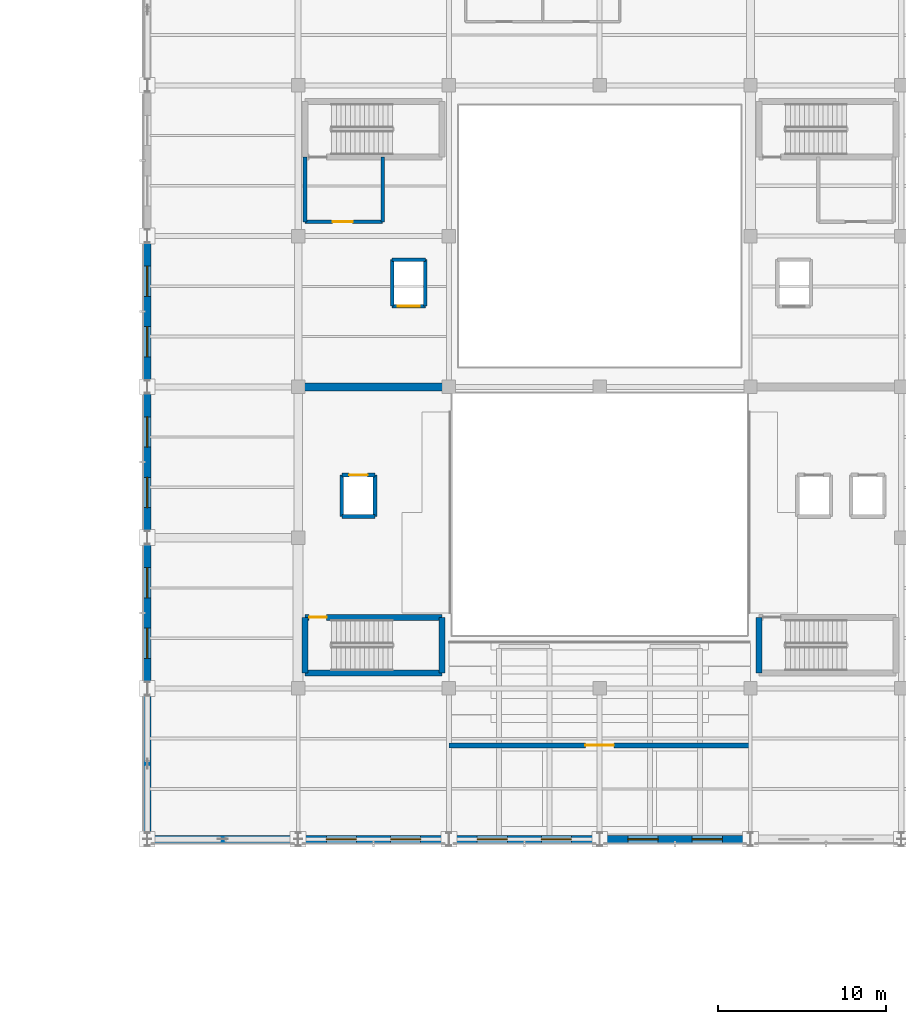
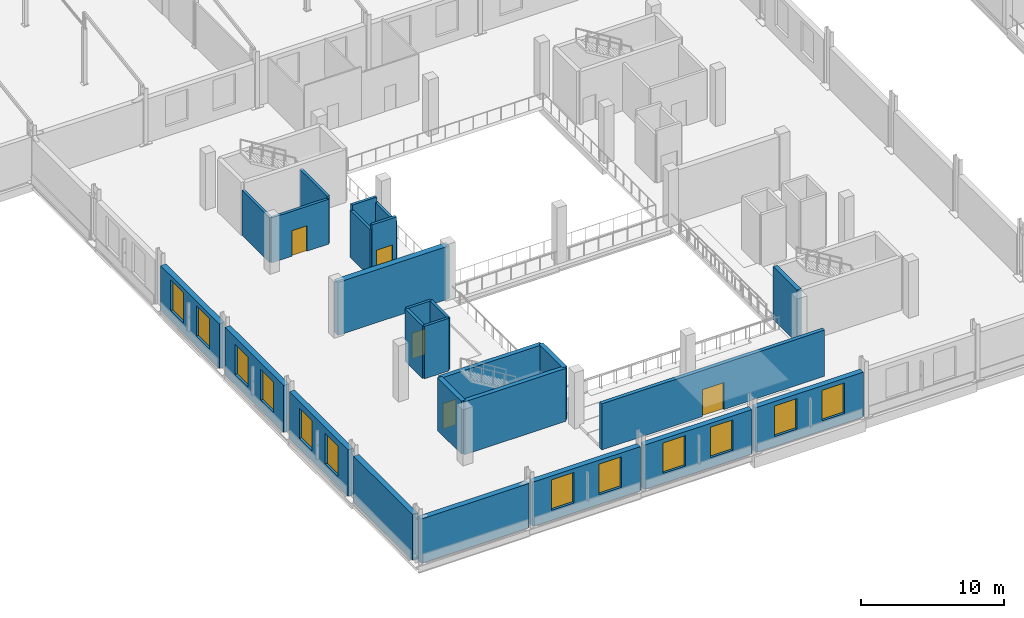
# One storey, part 33 of 54: 26 walls, 12 windows, 5 doors, 17 openings.
"""IFC4 building model written with IfcOpenShell, lengths in metres."""

from ifc_helpers import new_model, si_unit, direction, frame, frame_2d, origin, place, context, subcontext, project, spatial, rectangle, extrude, material, layer, layer_set, type_object, element, fill, save


model = new_model("IFC4")

# Units and contexts
model_context = context("Model", 3, precision=1e-05, world=origin(), true_north=direction((0.0, 1.0)))
body_context = subcontext(model_context, "Body", "Model", "MODEL_VIEW")
ifc_project = project(units=[si_unit("LENGTHUNIT", "METRE"), si_unit("AREAUNIT", "SQUARE_METRE"), si_unit("VOLUMEUNIT", "CUBIC_METRE"), si_unit("PLANEANGLEUNIT", "RADIAN"), si_unit("MASSUNIT", "GRAM", prefix="KILO")], contexts=[model_context])

# Site, building, storey
site_placement = place(None, origin())
site = spatial("IfcSite", under=ifc_project, at=site_placement, CompositionType="ELEMENT")
building_placement = place(site_placement, origin())
building = spatial("IfcBuilding", under=site, at=building_placement, Name="Sundgate Opera House", CompositionType="ELEMENT")
storey_placement = place(building_placement, frame((0.0, 0.0, 16.800048828125)))
storey = spatial("IfcBuildingStorey", under=building, at=storey_placement, Name="L03", CompositionType="ELEMENT", Elevation=16.800048828125)

# Wall
ifc_material_1 = material(Name="Concrete C40/50", Category="concrete")
ifc_layer_1 = layer(ifc_material_1, 0.35009765625)
ifc_layer_set_1 = layer_set([ifc_layer_1], Name="Concrete C40/50")
wall_type_1 = type_object("IfcWallType", Name="WL-CORE-350", PredefinedType="SHEAR", material=ifc_layer_set_1)
wall_1_placement = place(storey_placement, frame((36.409912109375, 42.909912109375, 0.0), z_axis=(0.0, 0.0, 1.0), x_axis=(1.0, 0.0, 0.0)))
element("IfcWall", 1, at=wall_1_placement, inside=storey, type_object=wall_type_1, Name="L03 C1 South Shaft Wall", PredefinedType="SHEAR", context=body_context, shape_type="SweptSolid", body=[
    extrude(rectangle(XDim=8.18017578125, YDim=0.35009765625, at=frame_2d((4.090087890625, 0.0))), origin(), (0.0, 0.0, 1.0), 4.52001953125),
])

# Wall, opening, door
wall_2_placement = place(storey_placement, frame((36.409912109375, 46.239990234375, 0.0), z_axis=(0.0, 0.0, 1.0), x_axis=(1.0, 0.0, 0.0)))
wall_2 = element("IfcWall", 2, at=wall_2_placement, inside=storey, type_object=wall_type_1, Name="L03 C1 North Shaft Wall", PredefinedType="SHEAR", context=body_context, shape_type="SweptSolid", body=[
    extrude(rectangle(XDim=8.18017578125, YDim=0.35009765625, at=frame_2d((4.090087890625, 0.0))), origin(), (0.0, 0.0, 1.0), 4.52001953125),
])
opening_1_placement = place(wall_2_placement, frame((0.239990234375, 0.0, 0.0)))
opening_1 = element("IfcOpeningElement", 3, at=opening_1_placement, cuts=wall_2, Name="Opening DI01", PredefinedType="OPENING", context=body_context, shape_type="SweptSolid", body=[
    extrude(rectangle(XDim=1.050048828125, YDim=2.179931640625, at=frame_2d((0.52490234375, 1.08984375))), frame((0.0, 0.18505859375, 0.0), z_axis=(0.0, -1.0, 0.0), x_axis=(1.0, 0.0, 0.0)), (0.0, 0.0, 1.0), 0.3701171875),
])
ifc_material_2 = material(Name="Acoustic hardwood timber and steel core", Category="steel")
door_type_1 = type_object("IfcDoorType", Name="DR-STAIR-1050x2180", OperationType="NOTDEFINED", PredefinedType="DOOR", material=ifc_material_2)
door_1_placement = place(opening_1_placement, origin())
door_1 = element("IfcDoor", 4, at=door_1_placement, inside=storey, type_object=door_type_1, Name="L03 C1 Stair Door D0029", OperationType="SINGLE_SWING_LEFT", OverallHeight=2.179931640625, OverallWidth=1.050048828125, PredefinedType="DOOR", context=body_context, shape_type="SweptSolid", body=[
    extrude(rectangle(XDim=1.050048828125, YDim=2.179931640625, at=frame_2d((0.52490234375, 1.08984375))), frame((0.0, 0.02490234375, 0.0), z_axis=(0.0, -1.0, 0.0), x_axis=(1.0, 0.0, 0.0)), (0.0, 0.0, 1.0), 0.050048828125),
])
fill(opening_1, door_1)

# Walls
for number, where, z_axis, x_axis, name in (
    (5, (36.409912109375, 42.909912109375, 0.0), (0.0, 0.0, 1.0), (0.0, 1.0, 0.0), "L03 C1 West Shaft Wall"),
    (6, (44.590087890625, 42.909912109375, 0.0), (0.0, 0.0, 1.0), (0.0, 1.0, 0.0), "L03 C1 East Shaft Wall"),
    (7, (63.510009765625, 42.909912109375, 0.0), (0.0, 0.0, 1.0), (0.0, 1.0, 0.0), "L03 C3 West Shaft Wall"),
):
    element("IfcWall", number, at=place(storey_placement, frame(where, z_axis=z_axis, x_axis=x_axis)), inside=storey, type_object=wall_type_1, Name=name, PredefinedType="SHEAR", context=body_context, shape_type="SweptSolid", body=[
        extrude(rectangle(XDim=3.330078125, YDim=0.35009765625, at=frame_2d((1.6650390625, 0.0))), origin(), (0.0, 0.0, 1.0), 4.52001953125),
    ])
ifc_material_3 = material(Name="Komstad limestone ashlar masonry", Category="masonry")
ifc_layer_2 = layer(ifc_material_3, 0.43994140625)
ifc_layer_set_2 = layer_set([ifc_layer_2], Name="Komstad limestone ashlar masonry")
wall_type_2 = type_object("IfcWallType", Name="WL-EXT-LIME-440", PredefinedType="SOLIDWALL", material=ifc_layer_set_2)
wall_3_placement = place(storey_placement, frame((35.85498046875, 33.0, 0.0), z_axis=(0.0, 0.0, 1.0), x_axis=(-1.0, 0.0, 0.0)))
element("IfcWall", 8, at=wall_3_placement, inside=storey, type_object=wall_type_2, Name="L03 Lifted Cube South Relief Wall W0069", PredefinedType="SOLIDWALL", context=body_context, shape_type="SweptSolid", body=[
    extrude(rectangle(XDim=8.7099609375, YDim=0.43994140625, at=frame_2d((4.35498046875, 0.0))), origin(), (0.0, 0.0, 1.0), 3.784912109375),
])

# Wall, openings, windows
wall_4_placement = place(storey_placement, frame((44.85498046875, 33.0, 0.0), z_axis=(0.0, 0.0, 1.0), x_axis=(-1.0, 0.0, 0.0)))
wall_4 = element("IfcWall", 9, at=wall_4_placement, inside=storey, type_object=wall_type_2, Name="L03 Lifted Cube South Relief Wall W0071", PredefinedType="SOLIDWALL", context=body_context, shape_type="SweptSolid", body=[
    extrude(rectangle(XDim=8.7099609375, YDim=0.43994140625, at=frame_2d((4.35498046875, 0.0))), origin(), (0.0, 0.0, 1.0), 3.784912109375),
])
opening_2_placement = place(wall_4_placement, frame((1.5390625, 0.0, 0.85009765625)))
opening_2 = element("IfcOpeningElement", 10, at=opening_2_placement, cuts=wall_4, Name="Opening W01", PredefinedType="OPENING", context=body_context, shape_type="SweptSolid", body=[
    extrude(rectangle(XDim=1.800048828125, YDim=2.60009765625, at=frame_2d((0.89990234375, 1.300048828125))), frame((0.0, 0.22998046875, 0.0), z_axis=(0.0, -1.0, 0.0), x_axis=(1.0, 0.0, 0.0)), (0.0, 0.0, 1.0), 0.4599609375),
])
opening_3_placement = place(wall_4_placement, frame((5.37109375, 0.0, 0.85009765625)))
opening_3 = element("IfcOpeningElement", 11, at=opening_3_placement, cuts=wall_4, Name="Opening W01", PredefinedType="OPENING", context=body_context, shape_type="SweptSolid", body=[
    extrude(rectangle(XDim=1.800048828125, YDim=2.60009765625, at=frame_2d((0.89990234375, 1.300048828125))), frame((0.0, 0.22998046875, 0.0), z_axis=(0.0, -1.0, 0.0), x_axis=(1.0, 0.0, 0.0)), (0.0, 0.0, 1.0), 0.4599609375),
])
ifc_material_4 = material(Name="Low-iron triple glazing in patinated bronze frame", Category="glass")
window_type = type_object("IfcWindowType", Name="WN-CUBE-1800x2600", PartitioningType="SINGLE_PANEL", PredefinedType="WINDOW", material=ifc_material_4)
window_1_placement = place(opening_2_placement, origin())
window_1 = element("IfcWindow", 12, at=window_1_placement, inside=storey, type_object=window_type, Name="L03 Cube Loggia Window WN0031", OverallHeight=2.60009765625, OverallWidth=1.800048828125, PartitioningType="SINGLE_PANEL", PredefinedType="WINDOW", context=body_context, shape_type="SweptSolid", body=[
    extrude(rectangle(XDim=1.800048828125, YDim=2.60009765625, at=frame_2d((0.89990234375, 1.300048828125))), frame((0.0, 0.030029296875, 0.0), z_axis=(0.0, -1.0, 0.0), x_axis=(1.0, 0.0, 0.0)), (0.0, 0.0, 1.0), 0.06005859375),
])
fill(opening_2, window_1)
window_2_placement = place(opening_3_placement, origin())
window_2 = element("IfcWindow", 13, at=window_2_placement, inside=storey, type_object=window_type, Name="L03 Cube Loggia Window WN0032", OverallHeight=2.60009765625, OverallWidth=1.800048828125, PartitioningType="SINGLE_PANEL", PredefinedType="WINDOW", context=body_context, shape_type="SweptSolid", body=[
    extrude(rectangle(XDim=1.800048828125, YDim=2.60009765625, at=frame_2d((0.89990234375, 1.300048828125))), frame((0.0, 0.030029296875, 0.0), z_axis=(0.0, -1.0, 0.0), x_axis=(1.0, 0.0, 0.0)), (0.0, 0.0, 1.0), 0.06005859375),
])
fill(opening_3, window_2)

wall_5_placement = place(storey_placement, frame((53.85498046875, 33.0, 0.0), z_axis=(0.0, 0.0, 1.0), x_axis=(-1.0, 0.0, 0.0)))
wall_5 = element("IfcWall", 14, at=wall_5_placement, inside=storey, type_object=wall_type_2, Name="L03 Lifted Cube South Relief Wall W0073", PredefinedType="SOLIDWALL", context=body_context, shape_type="SweptSolid", body=[
    extrude(rectangle(XDim=8.7099609375, YDim=0.43994140625, at=frame_2d((4.35498046875, 0.0))), origin(), (0.0, 0.0, 1.0), 3.784912109375),
])
opening_4_placement = place(wall_5_placement, frame((1.5390625, 0.0, 0.85009765625)))
opening_4 = element("IfcOpeningElement", 15, at=opening_4_placement, cuts=wall_5, Name="Opening W01", PredefinedType="OPENING", context=body_context, shape_type="SweptSolid", body=[
    extrude(rectangle(XDim=1.800048828125, YDim=2.60009765625, at=frame_2d((0.89990234375, 1.300048828125))), frame((0.0, 0.22998046875, 0.0), z_axis=(0.0, -1.0, 0.0), x_axis=(1.0, 0.0, 0.0)), (0.0, 0.0, 1.0), 0.4599609375),
])
opening_5_placement = place(wall_5_placement, frame((5.37109375, 0.0, 0.85009765625)))
opening_5 = element("IfcOpeningElement", 16, at=opening_5_placement, cuts=wall_5, Name="Opening W01", PredefinedType="OPENING", context=body_context, shape_type="SweptSolid", body=[
    extrude(rectangle(XDim=1.800048828125, YDim=2.60009765625, at=frame_2d((0.89990234375, 1.300048828125))), frame((0.0, 0.22998046875, 0.0), z_axis=(0.0, -1.0, 0.0), x_axis=(1.0, 0.0, 0.0)), (0.0, 0.0, 1.0), 0.4599609375),
])
window_3_placement = place(opening_4_placement, origin())
window_3 = element("IfcWindow", 17, at=window_3_placement, inside=storey, type_object=window_type, Name="L03 Cube Loggia Window WN0035", OverallHeight=2.60009765625, OverallWidth=1.800048828125, PartitioningType="SINGLE_PANEL", PredefinedType="WINDOW", context=body_context, shape_type="SweptSolid", body=[
    extrude(rectangle(XDim=1.800048828125, YDim=2.60009765625, at=frame_2d((0.89990234375, 1.300048828125))), frame((0.0, 0.030029296875, 0.0), z_axis=(0.0, -1.0, 0.0), x_axis=(1.0, 0.0, 0.0)), (0.0, 0.0, 1.0), 0.06005859375),
])
fill(opening_4, window_3)
window_4_placement = place(opening_5_placement, origin())
window_4 = element("IfcWindow", 18, at=window_4_placement, inside=storey, type_object=window_type, Name="L03 Cube Loggia Window WN0036", OverallHeight=2.60009765625, OverallWidth=1.800048828125, PartitioningType="SINGLE_PANEL", PredefinedType="WINDOW", context=body_context, shape_type="SweptSolid", body=[
    extrude(rectangle(XDim=1.800048828125, YDim=2.60009765625, at=frame_2d((0.89990234375, 1.300048828125))), frame((0.0, 0.030029296875, 0.0), z_axis=(0.0, -1.0, 0.0), x_axis=(1.0, 0.0, 0.0)), (0.0, 0.0, 1.0), 0.06005859375),
])
fill(opening_5, window_4)

wall_6_placement = place(storey_placement, frame((62.85498046875, 33.0, 0.0), z_axis=(0.0, 0.0, 1.0), x_axis=(-1.0, 0.0, 0.0)))
wall_6 = element("IfcWall", 19, at=wall_6_placement, inside=storey, type_object=wall_type_2, Name="L03 Lifted Cube South Relief Wall W0075", PredefinedType="SOLIDWALL", context=body_context, shape_type="SweptSolid", body=[
    extrude(rectangle(XDim=8.7099609375, YDim=0.43994140625, at=frame_2d((4.35498046875, 0.0))), origin(), (0.0, 0.0, 1.0), 3.8349609375),
])
opening_6_placement = place(wall_6_placement, frame((1.5390625, 0.0, 0.85009765625)))
opening_6 = element("IfcOpeningElement", 20, at=opening_6_placement, cuts=wall_6, Name="Opening W01", PredefinedType="OPENING", context=body_context, shape_type="SweptSolid", body=[
    extrude(rectangle(XDim=1.800048828125, YDim=2.60009765625, at=frame_2d((0.89990234375, 1.300048828125))), frame((0.0, 0.22998046875, 0.0), z_axis=(0.0, -1.0, 0.0), x_axis=(1.0, 0.0, 0.0)), (0.0, 0.0, 1.0), 0.4599609375),
])
opening_7_placement = place(wall_6_placement, frame((5.37109375, 0.0, 0.85009765625)))
opening_7 = element("IfcOpeningElement", 21, at=opening_7_placement, cuts=wall_6, Name="Opening W01", PredefinedType="OPENING", context=body_context, shape_type="SweptSolid", body=[
    extrude(rectangle(XDim=1.800048828125, YDim=2.60009765625, at=frame_2d((0.89990234375, 1.300048828125))), frame((0.0, 0.22998046875, 0.0), z_axis=(0.0, -1.0, 0.0), x_axis=(1.0, 0.0, 0.0)), (0.0, 0.0, 1.0), 0.4599609375),
])
window_5_placement = place(opening_6_placement, origin())
window_5 = element("IfcWindow", 22, at=window_5_placement, inside=storey, type_object=window_type, Name="L03 Cube Loggia Window WN0039", OverallHeight=2.60009765625, OverallWidth=1.800048828125, PartitioningType="SINGLE_PANEL", PredefinedType="WINDOW", context=body_context, shape_type="SweptSolid", body=[
    extrude(rectangle(XDim=1.800048828125, YDim=2.60009765625, at=frame_2d((0.89990234375, 1.300048828125))), frame((0.0, 0.030029296875, 0.0), z_axis=(0.0, -1.0, 0.0), x_axis=(1.0, 0.0, 0.0)), (0.0, 0.0, 1.0), 0.06005859375),
])
fill(opening_6, window_5)
window_6_placement = place(opening_7_placement, origin())
window_6 = element("IfcWindow", 23, at=window_6_placement, inside=storey, type_object=window_type, Name="L03 Cube Loggia Window WN0040", OverallHeight=2.60009765625, OverallWidth=1.800048828125, PartitioningType="SINGLE_PANEL", PredefinedType="WINDOW", context=body_context, shape_type="SweptSolid", body=[
    extrude(rectangle(XDim=1.800048828125, YDim=2.60009765625, at=frame_2d((0.89990234375, 1.300048828125))), frame((0.0, 0.030029296875, 0.0), z_axis=(0.0, -1.0, 0.0), x_axis=(1.0, 0.0, 0.0)), (0.0, 0.0, 1.0), 0.06005859375),
])
fill(opening_7, window_6)

# Wall
wall_7_placement = place(storey_placement, frame((27.0, 41.60498046875, 0.0), z_axis=(0.0, 0.0, 1.0), x_axis=(0.0, -1.0, 0.0)))
element("IfcWall", 24, at=wall_7_placement, inside=storey, type_object=wall_type_2, Name="L03 Lifted Cube West Relief Wall W0081", PredefinedType="SOLIDWALL", context=body_context, shape_type="SweptSolid", body=[
    extrude(rectangle(XDim=8.2099609375, YDim=0.43994140625, at=frame_2d((4.10498046875, 0.0))), origin(), (0.0, 0.0, 1.0), 3.93505859375),
])

# Wall, openings, windows
wall_8_placement = place(storey_placement, frame((27.0, 50.60498046875, 0.0), z_axis=(0.0, 0.0, 1.0), x_axis=(0.0, -1.0, 0.0)))
wall_8 = element("IfcWall", 25, at=wall_8_placement, inside=storey, type_object=wall_type_2, Name="L03 Lifted Cube West Relief Wall W0083", PredefinedType="SOLIDWALL", context=body_context, shape_type="SweptSolid", body=[
    extrude(rectangle(XDim=8.2099609375, YDim=0.43994140625, at=frame_2d((4.10498046875, 0.0))), origin(), (0.0, 0.0, 1.0), 3.994873046875),
])
opening_8_placement = place(wall_8_placement, frame((1.39892578125, 0.0, 0.85009765625)))
opening_8 = element("IfcOpeningElement", 26, at=opening_8_placement, cuts=wall_8, Name="Opening W01", PredefinedType="OPENING", context=body_context, shape_type="SweptSolid", body=[
    extrude(rectangle(XDim=1.800048828125, YDim=2.60009765625, at=frame_2d((0.89990234375, 1.300048828125))), frame((0.0, 0.22998046875, 0.0), z_axis=(0.0, -1.0, 0.0), x_axis=(1.0, 0.0, 0.0)), (0.0, 0.0, 1.0), 0.4599609375),
])
opening_9_placement = place(wall_8_placement, frame((5.010986328125, 0.0, 0.85009765625)))
opening_9 = element("IfcOpeningElement", 27, at=opening_9_placement, cuts=wall_8, Name="Opening W01", PredefinedType="OPENING", context=body_context, shape_type="SweptSolid", body=[
    extrude(rectangle(XDim=1.800048828125, YDim=2.60009765625, at=frame_2d((0.89990234375, 1.300048828125))), frame((0.0, 0.22998046875, 0.0), z_axis=(0.0, -1.0, 0.0), x_axis=(1.0, 0.0, 0.0)), (0.0, 0.0, 1.0), 0.4599609375),
])
window_7_placement = place(opening_8_placement, origin())
window_7 = element("IfcWindow", 28, at=window_7_placement, inside=storey, type_object=window_type, Name="L03 Cube Loggia Window WN0047", OverallHeight=2.60009765625, OverallWidth=1.800048828125, PartitioningType="SINGLE_PANEL", PredefinedType="WINDOW", context=body_context, shape_type="SweptSolid", body=[
    extrude(rectangle(XDim=1.800048828125, YDim=2.60009765625, at=frame_2d((0.89990234375, 1.300048828125))), frame((0.0, 0.030029296875, 0.0), z_axis=(0.0, -1.0, 0.0), x_axis=(1.0, 0.0, 0.0)), (0.0, 0.0, 1.0), 0.06005859375),
])
fill(opening_8, window_7)
window_8_placement = place(opening_9_placement, origin())
window_8 = element("IfcWindow", 29, at=window_8_placement, inside=storey, type_object=window_type, Name="L03 Cube Loggia Window WN0048", OverallHeight=2.60009765625, OverallWidth=1.800048828125, PartitioningType="SINGLE_PANEL", PredefinedType="WINDOW", context=body_context, shape_type="SweptSolid", body=[
    extrude(rectangle(XDim=1.800048828125, YDim=2.60009765625, at=frame_2d((0.89990234375, 1.300048828125))), frame((0.0, 0.030029296875, 0.0), z_axis=(0.0, -1.0, 0.0), x_axis=(1.0, 0.0, 0.0)), (0.0, 0.0, 1.0), 0.06005859375),
])
fill(opening_9, window_8)

wall_9_placement = place(storey_placement, frame((27.0, 59.60498046875, 0.0), z_axis=(0.0, 0.0, 1.0), x_axis=(0.0, -1.0, 0.0)))
wall_9 = element("IfcWall", 30, at=wall_9_placement, inside=storey, type_object=wall_type_2, Name="L03 Lifted Cube West Relief Wall W0085", PredefinedType="SOLIDWALL", context=body_context, shape_type="SweptSolid", body=[
    extrude(rectangle(XDim=8.2099609375, YDim=0.43994140625, at=frame_2d((4.10498046875, 0.0))), origin(), (0.0, 0.0, 1.0), 4.034912109375),
])
opening_10_placement = place(wall_9_placement, frame((1.39892578125, 0.0, 0.85009765625)))
opening_10 = element("IfcOpeningElement", 31, at=opening_10_placement, cuts=wall_9, Name="Opening W01", PredefinedType="OPENING", context=body_context, shape_type="SweptSolid", body=[
    extrude(rectangle(XDim=1.800048828125, YDim=2.60009765625, at=frame_2d((0.89990234375, 1.300048828125))), frame((0.0, 0.22998046875, 0.0), z_axis=(0.0, -1.0, 0.0), x_axis=(1.0, 0.0, 0.0)), (0.0, 0.0, 1.0), 0.4599609375),
])
opening_11_placement = place(wall_9_placement, frame((5.010986328125, 0.0, 0.85009765625)))
opening_11 = element("IfcOpeningElement", 32, at=opening_11_placement, cuts=wall_9, Name="Opening W01", PredefinedType="OPENING", context=body_context, shape_type="SweptSolid", body=[
    extrude(rectangle(XDim=1.800048828125, YDim=2.60009765625, at=frame_2d((0.89990234375, 1.300048828125))), frame((0.0, 0.22998046875, 0.0), z_axis=(0.0, -1.0, 0.0), x_axis=(1.0, 0.0, 0.0)), (0.0, 0.0, 1.0), 0.4599609375),
])
window_9_placement = place(opening_10_placement, origin())
window_9 = element("IfcWindow", 33, at=window_9_placement, inside=storey, type_object=window_type, Name="L03 Cube Loggia Window WN0049", OverallHeight=2.60009765625, OverallWidth=1.800048828125, PartitioningType="SINGLE_PANEL", PredefinedType="WINDOW", context=body_context, shape_type="SweptSolid", body=[
    extrude(rectangle(XDim=1.800048828125, YDim=2.60009765625, at=frame_2d((0.89990234375, 1.300048828125))), frame((0.0, 0.030029296875, 0.0), z_axis=(0.0, -1.0, 0.0), x_axis=(1.0, 0.0, 0.0)), (0.0, 0.0, 1.0), 0.06005859375),
])
fill(opening_10, window_9)
window_10_placement = place(opening_11_placement, origin())
window_10 = element("IfcWindow", 34, at=window_10_placement, inside=storey, type_object=window_type, Name="L03 Cube Loggia Window WN0050", OverallHeight=2.60009765625, OverallWidth=1.800048828125, PartitioningType="SINGLE_PANEL", PredefinedType="WINDOW", context=body_context, shape_type="SweptSolid", body=[
    extrude(rectangle(XDim=1.800048828125, YDim=2.60009765625, at=frame_2d((0.89990234375, 1.300048828125))), frame((0.0, 0.030029296875, 0.0), z_axis=(0.0, -1.0, 0.0), x_axis=(1.0, 0.0, 0.0)), (0.0, 0.0, 1.0), 0.06005859375),
])
fill(opening_11, window_10)

wall_10_placement = place(storey_placement, frame((27.0, 68.60498046875, 0.0), z_axis=(0.0, 0.0, 1.0), x_axis=(0.0, -1.0, 0.0)))
wall_10 = element("IfcWall", 35, at=wall_10_placement, inside=storey, type_object=wall_type_2, Name="L03 Lifted Cube West Relief Wall W0087", PredefinedType="SOLIDWALL", context=body_context, shape_type="SweptSolid", body=[
    extrude(rectangle(XDim=8.2099609375, YDim=0.43994140625, at=frame_2d((4.10498046875, 0.0))), origin(), (0.0, 0.0, 1.0), 3.8349609375),
])
opening_12_placement = place(wall_10_placement, frame((1.39892578125, 0.0, 0.85009765625)))
opening_12 = element("IfcOpeningElement", 36, at=opening_12_placement, cuts=wall_10, Name="Opening W01", PredefinedType="OPENING", context=body_context, shape_type="SweptSolid", body=[
    extrude(rectangle(XDim=1.800048828125, YDim=2.60009765625, at=frame_2d((0.89990234375, 1.300048828125))), frame((0.0, 0.22998046875, 0.0), z_axis=(0.0, -1.0, 0.0), x_axis=(1.0, 0.0, 0.0)), (0.0, 0.0, 1.0), 0.4599609375),
])
opening_13_placement = place(wall_10_placement, frame((5.010986328125, 0.0, 0.85009765625)))
opening_13 = element("IfcOpeningElement", 37, at=opening_13_placement, cuts=wall_10, Name="Opening W01", PredefinedType="OPENING", context=body_context, shape_type="SweptSolid", body=[
    extrude(rectangle(XDim=1.800048828125, YDim=2.60009765625, at=frame_2d((0.89990234375, 1.300048828125))), frame((0.0, 0.22998046875, 0.0), z_axis=(0.0, -1.0, 0.0), x_axis=(1.0, 0.0, 0.0)), (0.0, 0.0, 1.0), 0.4599609375),
])
window_11_placement = place(opening_12_placement, origin())
window_11 = element("IfcWindow", 38, at=window_11_placement, inside=storey, type_object=window_type, Name="L03 Cube Loggia Window WN0051", OverallHeight=2.60009765625, OverallWidth=1.800048828125, PartitioningType="SINGLE_PANEL", PredefinedType="WINDOW", context=body_context, shape_type="SweptSolid", body=[
    extrude(rectangle(XDim=1.800048828125, YDim=2.60009765625, at=frame_2d((0.89990234375, 1.300048828125))), frame((0.0, 0.030029296875, 0.0), z_axis=(0.0, -1.0, 0.0), x_axis=(1.0, 0.0, 0.0)), (0.0, 0.0, 1.0), 0.06005859375),
])
fill(opening_12, window_11)
window_12_placement = place(opening_13_placement, origin())
window_12 = element("IfcWindow", 39, at=window_12_placement, inside=storey, type_object=window_type, Name="L03 Cube Loggia Window WN0052", OverallHeight=2.60009765625, OverallWidth=1.800048828125, PartitioningType="SINGLE_PANEL", PredefinedType="WINDOW", context=body_context, shape_type="SweptSolid", body=[
    extrude(rectangle(XDim=1.800048828125, YDim=2.60009765625, at=frame_2d((0.89990234375, 1.300048828125))), frame((0.0, 0.030029296875, 0.0), z_axis=(0.0, -1.0, 0.0), x_axis=(1.0, 0.0, 0.0)), (0.0, 0.0, 1.0), 0.06005859375),
])
fill(opening_13, window_12)

# Wall, opening, door
ifc_material_5 = material(Name="Double-leaf acoustic concrete blockwork C35/45", Category="masonry")
ifc_layer_3 = layer(ifc_material_5, 0.300048828125)
ifc_layer_set_3 = layer_set([ifc_layer_3], Name="Double-leaf acoustic concrete blockwork C35/45")
wall_type_3 = type_object("IfcWallType", Name="WL-INT-ACOUST-300", PredefinedType="PARTITIONING", material=ifc_layer_set_3)
wall_11_placement = place(storey_placement, frame((45.0, 38.60009765625, 0.0), z_axis=(0.0, 0.0, 1.0), x_axis=(1.0, 0.0, 0.0)))
wall_11 = element("IfcWall", 40, at=wall_11_placement, inside=storey, type_object=wall_type_3, Name="L03 Interior Partition W1068", PredefinedType="PARTITIONING", context=body_context, shape_type="SweptSolid", body=[
    extrude(rectangle(XDim=18.0, YDim=0.300048828125, at=frame_2d((9.0, 0.0))), origin(), (0.0, 0.0, 1.0), 3.93505859375),
])
opening_14_placement = place(wall_11_placement, frame((8.14990234375, 0.0, 0.0)))
opening_14 = element("IfcOpeningElement", 41, at=opening_14_placement, cuts=wall_11, Name="Opening DI04", PredefinedType="OPENING", context=body_context, shape_type="SweptSolid", body=[
    extrude(rectangle(XDim=1.699951171875, YDim=2.300048828125, at=frame_2d((0.85009765625, 1.14990234375))), frame((0.0, 0.159912109375, 0.0), z_axis=(0.0, -1.0, 0.0), x_axis=(1.0, 0.0, 0.0)), (0.0, 0.0, 1.0), 0.320068359375),
])
ifc_material_6 = material(Name="Acoustic hardwood timber and steel core", Category="steel")
door_type_2 = type_object("IfcDoorType", Name="DR-AUD-1700x2300", OperationType="DOUBLE_DOOR_SINGLE_SWING", PredefinedType="DOOR", material=ifc_material_6)
door_2_placement = place(opening_14_placement, origin())
door_2 = element("IfcDoor", 42, at=door_2_placement, inside=storey, type_object=door_type_2, Name="L03 Interior Door D0227", OperationType="DOUBLE_DOOR_SINGLE_SWING", OverallHeight=2.300048828125, OverallWidth=1.699951171875, PredefinedType="DOOR", context=body_context, shape_type="SweptSolid", body=[
    extrude(rectangle(XDim=1.699951171875, YDim=2.300048828125, at=frame_2d((0.85009765625, 1.14990234375))), frame((0.0, 0.02490234375, 0.0), z_axis=(0.0, -1.0, 0.0), x_axis=(1.0, 0.0, 0.0)), (0.0, 0.0, 1.0), 0.050048828125),
])
fill(opening_14, door_2)

ifc_material_7 = material(Name="Fire-rated gypsum and mineral-wool shaft partition", Category="gypsum")
ifc_layer_4 = layer(ifc_material_7, 0.219970703125)
ifc_layer_set_4 = layer_set([ifc_layer_4], Name="Fire-rated gypsum and mineral-wool shaft partition")
wall_type_4 = type_object("IfcWallType", Name="WL-INT-FIRE-220", PredefinedType="PARTITIONING", material=ifc_layer_set_4)
wall_12_placement = place(storey_placement, frame((36.409912109375, 69.85009765625, 0.0), z_axis=(0.0, 0.0, 1.0), x_axis=(1.0, 0.0, 0.0)))
wall_12 = element("IfcWall", 43, at=wall_12_placement, inside=storey, type_object=wall_type_4, Name="L03 C2 Firefighting Lobby South Wall", PredefinedType="PARTITIONING", context=body_context, shape_type="SweptSolid", body=[
    extrude(rectangle(XDim=4.64013671875, YDim=0.219970703125, at=frame_2d((2.320068359375, 0.0))), origin(), (0.0, 0.0, 1.0), 3.8349609375),
])
opening_15_placement = place(wall_12_placement, frame((1.64990234375, 0.0, 0.0)))
opening_15 = element("IfcOpeningElement", 44, at=opening_15_placement, cuts=wall_12, Name="Opening DI02", PredefinedType="OPENING", context=body_context, shape_type="SweptSolid", body=[
    extrude(rectangle(XDim=1.199951171875, YDim=2.179931640625, at=frame_2d((0.60009765625, 1.08984375))), frame((0.0, 0.119873046875, 0.0), z_axis=(0.0, -1.0, 0.0), x_axis=(1.0, 0.0, 0.0)), (0.0, 0.0, 1.0), 0.239990234375),
])
ifc_material_8 = material(Name="Acoustic hardwood timber and steel core", Category="steel")
door_type_3 = type_object("IfcDoorType", Name="DR-FFLOB-1200x2180", OperationType="NOTDEFINED", PredefinedType="DOOR", material=ifc_material_8)
door_3_placement = place(opening_15_placement, origin())
door_3 = element("IfcDoor", 45, at=door_3_placement, inside=storey, type_object=door_type_3, Name="L03 C2 Firefighting Lobby Door D0041", OperationType="SINGLE_SWING_LEFT", OverallHeight=2.179931640625, OverallWidth=1.199951171875, PredefinedType="DOOR", context=body_context, shape_type="SweptSolid", body=[
    extrude(rectangle(XDim=1.199951171875, YDim=2.179931640625, at=frame_2d((0.60009765625, 1.08984375))), frame((0.0, 0.02490234375, 0.0), z_axis=(0.0, -1.0, 0.0), x_axis=(1.0, 0.0, 0.0)), (0.0, 0.0, 1.0), 0.050048828125),
])
fill(opening_15, door_3)

# Walls
wall_13_placement = place(storey_placement, frame((36.409912109375, 69.85009765625, 0.0), z_axis=(0.0, 0.0, 1.0), x_axis=(0.0, 1.0, 0.0)))
element("IfcWall", 46, at=wall_13_placement, inside=storey, type_object=wall_type_4, Name="L03 C2 Firefighting Lobby West Wall", PredefinedType="PARTITIONING", context=body_context, shape_type="SweptSolid", body=[
    extrude(rectangle(XDim=3.85986328125, YDim=0.219970703125, at=frame_2d((1.929931640625, 0.0))), origin(), (0.0, 0.0, 1.0), 3.8349609375),
])
wall_14_placement = place(storey_placement, frame((41.050048828125, 69.85009765625, 0.0), z_axis=(0.0, 0.0, 1.0), x_axis=(0.0, 1.0, 0.0)))
element("IfcWall", 47, at=wall_14_placement, inside=storey, type_object=wall_type_4, Name="L03 C2 Firefighting Lobby East Wall", PredefinedType="PARTITIONING", context=body_context, shape_type="SweptSolid", body=[
    extrude(rectangle(XDim=3.85986328125, YDim=0.219970703125, at=frame_2d((1.929931640625, 0.0))), origin(), (0.0, 0.0, 1.0), 4.034912109375),
])
wall_15_placement = place(storey_placement, frame((38.610107421875, 52.260009765625, 0.0), z_axis=(0.0, 0.0, 1.0), x_axis=(1.0, 0.0, 0.0)))
element("IfcWall", 48, at=wall_15_placement, inside=storey, type_object=wall_type_4, Name="L03 LF-03 South Shaft Wall", PredefinedType="PARTITIONING", context=body_context, shape_type="SweptSolid", body=[
    extrude(rectangle(XDim=1.97998046875, YDim=0.219970703125, at=frame_2d((0.989990234375, 0.0))), origin(), (0.0, 0.0, 1.0), 4.48486328125),
])

# Wall, opening, door
wall_16_placement = place(storey_placement, frame((38.610107421875, 54.739990234375, 0.0), z_axis=(0.0, 0.0, 1.0), x_axis=(1.0, 0.0, 0.0)))
wall_16 = element("IfcWall", 49, at=wall_16_placement, inside=storey, type_object=wall_type_4, Name="L03 LF-03 North Shaft Wall", PredefinedType="PARTITIONING", context=body_context, shape_type="SweptSolid", body=[
    extrude(rectangle(XDim=1.97998046875, YDim=0.219970703125, at=frame_2d((0.989990234375, 0.0))), origin(), (0.0, 0.0, 1.0), 4.48486328125),
])
opening_16_placement = place(wall_16_placement, frame((0.43994140625, 0.0, 0.0)))
opening_16 = element("IfcOpeningElement", 50, at=opening_16_placement, cuts=wall_16, Name="Opening LD1", PredefinedType="OPENING", context=body_context, shape_type="SweptSolid", body=[
    extrude(rectangle(XDim=1.10009765625, YDim=2.179931640625, at=frame_2d((0.550048828125, 1.08984375))), frame((0.0, 0.119873046875, 0.0), z_axis=(0.0, -1.0, 0.0), x_axis=(1.0, 0.0, 0.0)), (0.0, 0.0, 1.0), 0.239990234375),
])
ifc_material_9 = material(Name="Brushed stainless steel EN 1.4301", Category="steel")
door_type_4 = type_object("IfcDoorType", Name="DR-LIFT-1100x2180", OperationType="DOUBLE_DOOR_SLIDING", PredefinedType="DOOR", material=ifc_material_9)
door_4_placement = place(opening_16_placement, origin())
door_4 = element("IfcDoor", 51, at=door_4_placement, inside=storey, type_object=door_type_4, Name="L03 LF-03 Landing Door D0110", OperationType="DOUBLE_DOOR_SLIDING", OverallHeight=2.179931640625, OverallWidth=1.10009765625, PredefinedType="DOOR", context=body_context, shape_type="SweptSolid", body=[
    extrude(rectangle(XDim=1.10009765625, YDim=2.179931640625, at=frame_2d((0.550048828125, 1.08984375))), frame((0.0, 0.02490234375, 0.0), z_axis=(0.0, -1.0, 0.0), x_axis=(1.0, 0.0, 0.0)), (0.0, 0.0, 1.0), 0.050048828125),
])
fill(opening_16, door_4)

# Walls
for number, where, z_axis, x_axis, name in (
    (52, (38.610107421875, 52.260009765625, 0.0), (0.0, 0.0, 1.0), (0.0, 1.0, 0.0), "L03 LF-03 West Shaft Wall"),
    (53, (40.590087890625, 52.260009765625, 0.0), (0.0, 0.0, 1.0), (0.0, 1.0, 0.0), "L03 LF-03 East Shaft Wall"),
):
    element("IfcWall", number, at=place(storey_placement, frame(where, z_axis=z_axis, x_axis=x_axis)), inside=storey, type_object=wall_type_4, Name=name, PredefinedType="PARTITIONING", context=body_context, shape_type="SweptSolid", body=[
        extrude(rectangle(XDim=2.47998046875, YDim=0.219970703125, at=frame_2d((1.239990234375, 0.0))), origin(), (0.0, 0.0, 1.0), 4.48486328125),
    ])

# Wall, opening, door
wall_17_placement = place(storey_placement, frame((41.610107421875, 64.81005859375, 0.0), z_axis=(0.0, 0.0, 1.0), x_axis=(1.0, 0.0, 0.0)))
wall_17 = element("IfcWall", 54, at=wall_17_placement, inside=storey, type_object=wall_type_4, Name="L03 FF1 South Shaft Wall", PredefinedType="PARTITIONING", context=body_context, shape_type="SweptSolid", body=[
    extrude(rectangle(XDim=1.97998046875, YDim=0.219970703125, at=frame_2d((0.989990234375, 0.0))), origin(), (0.0, 0.0, 1.0), 4.48486328125),
])
opening_17_placement = place(wall_17_placement, frame((0.340087890625, 0.0, 0.0)))
opening_17 = element("IfcOpeningElement", 55, at=opening_17_placement, cuts=wall_17, Name="Opening LD2", PredefinedType="OPENING", context=body_context, shape_type="SweptSolid", body=[
    extrude(rectangle(XDim=1.300048828125, YDim=2.199951171875, at=frame_2d((0.64990234375, 1.10009765625))), frame((0.0, 0.119873046875, 0.0), z_axis=(0.0, -1.0, 0.0), x_axis=(1.0, 0.0, 0.0)), (0.0, 0.0, 1.0), 0.239990234375),
])
ifc_material_10 = material(Name="Brushed stainless steel EN 1.4301", Category="steel")
door_type_5 = type_object("IfcDoorType", Name="DR-LIFT-1300x2200", OperationType="DOUBLE_DOOR_SLIDING", PredefinedType="DOOR", material=ifc_material_10)
door_5_placement = place(opening_17_placement, origin())
door_5 = element("IfcDoor", 56, at=door_5_placement, inside=storey, type_object=door_type_5, Name="L03 FF1 Landing Door D0132", OperationType="DOUBLE_DOOR_SLIDING", OverallHeight=2.199951171875, OverallWidth=1.300048828125, PredefinedType="DOOR", context=body_context, shape_type="SweptSolid", body=[
    extrude(rectangle(XDim=1.300048828125, YDim=2.199951171875, at=frame_2d((0.64990234375, 1.10009765625))), frame((0.0, 0.02490234375, 0.0), z_axis=(0.0, -1.0, 0.0), x_axis=(1.0, 0.0, 0.0)), (0.0, 0.0, 1.0), 0.050048828125),
])
fill(opening_17, door_5)

# Walls
wall_18_placement = place(storey_placement, frame((41.610107421875, 67.590087890625, 0.0), z_axis=(0.0, 0.0, 1.0), x_axis=(1.0, 0.0, 0.0)))
element("IfcWall", 57, at=wall_18_placement, inside=storey, type_object=wall_type_4, Name="L03 FF1 North Shaft Wall", PredefinedType="PARTITIONING", context=body_context, shape_type="SweptSolid", body=[
    extrude(rectangle(XDim=1.97998046875, YDim=0.219970703125, at=frame_2d((0.989990234375, 0.0))), origin(), (0.0, 0.0, 1.0), 4.48486328125),
])
for number, where, z_axis, x_axis, name in (
    (58, (41.610107421875, 64.81005859375, 0.0), (0.0, 0.0, 1.0), (0.0, 1.0, 0.0), "L03 FF1 West Shaft Wall"),
    (59, (43.590087890625, 64.81005859375, 0.0), (0.0, 0.0, 1.0), (0.0, 1.0, 0.0), "L03 FF1 East Shaft Wall"),
):
    element("IfcWall", number, at=place(storey_placement, frame(where, z_axis=z_axis, x_axis=x_axis)), inside=storey, type_object=wall_type_4, Name=name, PredefinedType="PARTITIONING", context=body_context, shape_type="SweptSolid", body=[
        extrude(rectangle(XDim=2.780029296875, YDim=0.219970703125, at=frame_2d((1.39013671875, 0.0))), origin(), (0.0, 0.0, 1.0), 4.034912109375),
    ])
ifc_material_11 = material(Name="Concrete C40/50", Category="concrete")
ifc_layer_5 = layer(ifc_material_11, 0.47998046875)
ifc_layer_set_5 = layer_set([ifc_layer_5], Name="Concrete C40/50")
wall_type_5 = type_object("IfcWallType", Name="WL-PROS-480", PredefinedType="SHEAR", material=ifc_layer_set_5)
wall_19_placement = place(storey_placement, frame((36.0, 60.0, 0.0), z_axis=(0.0, 0.0, 1.0), x_axis=(1.0, 0.0, 0.0)))
element("IfcWall", 60, at=wall_19_placement, inside=storey, type_object=wall_type_5, Name="L03 Proscenium Shear Wall W0016", PredefinedType="SHEAR", context=body_context, shape_type="SweptSolid", body=[
    extrude(rectangle(XDim=9.0, YDim=0.47998046875, at=frame_2d((4.5, 0.0))), origin(), (0.0, 0.0, 1.0), 4.52001953125),
])

save(model, "model.ifc")
